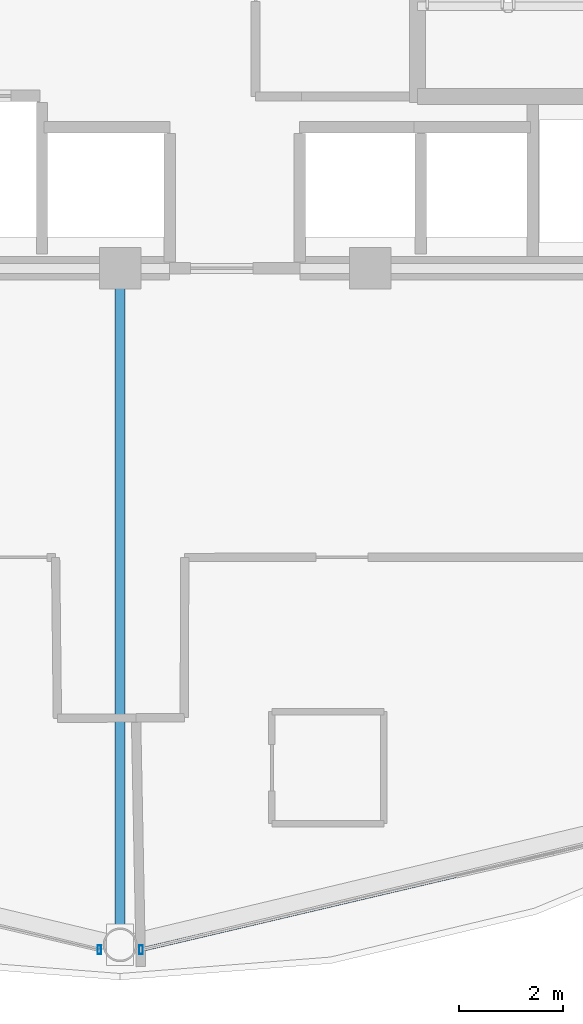
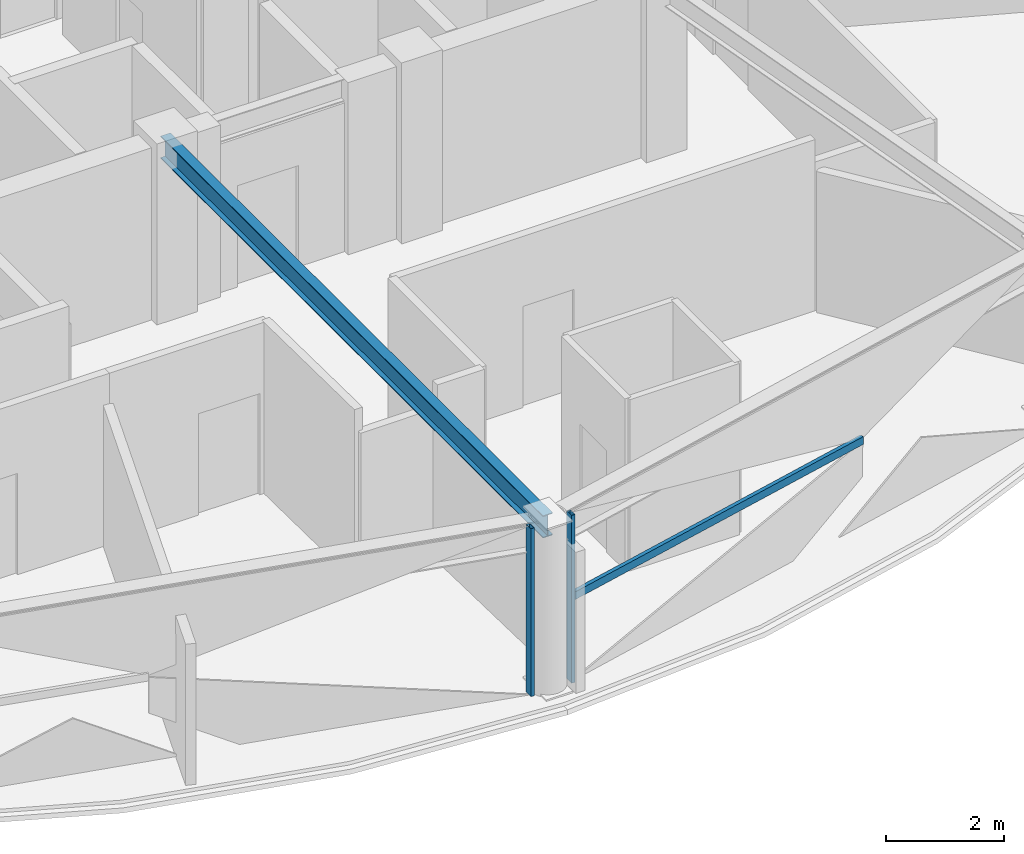
# One storey, part 5 of 30: 3 members, 1 beam, 2 elements without a shape of their own.
"""IFC4 building model written with IfcOpenShell, lengths in metres."""

from ifc_helpers import new_model, si_unit, direction, frame, origin, origin_2d, place, context, subcontext, project, spatial, hollow_rectangle, i_section, extrude, material, layer, layer_set, material_profile, profile_set, type_object, element, aggregate, save


model = new_model("IFC4")

# Units and contexts
model_context = context("Model", 3, precision=1e-05, world=origin(), true_north=direction((0.0, 1.0)))
body_context = subcontext(model_context, "Body", "Model", "MODEL_VIEW")
ifc_project = project(units=[si_unit("LENGTHUNIT", "METRE"), si_unit("AREAUNIT", "SQUARE_METRE"), si_unit("VOLUMEUNIT", "CUBIC_METRE"), si_unit("PLANEANGLEUNIT", "RADIAN"), si_unit("MASSUNIT", "GRAM", prefix="KILO")], contexts=[model_context])

# Site, building, storey
site_placement = place(None, origin())
site = spatial("IfcSite", under=ifc_project, at=site_placement, CompositionType="ELEMENT")
building_placement = place(site_placement, origin())
building = spatial("IfcBuilding", under=site, at=building_placement, Name="Vantalir Tower", CompositionType="ELEMENT")
storey_placement = place(building_placement, frame((0.0, 0.0, 193.64990234375)))
storey = spatial("IfcBuildingStorey", under=building, at=storey_placement, Name="L48", CompositionType="ELEMENT", Elevation=193.64990234375)

# Beam
ifc_material_1 = material(Name="Steel S355", Category="steel")
ifc_material_profile_1 = material_profile(ifc_material_1, i_section(OverallWidth=0.19189453125, OverallDepth=0.462890625, WebThickness=0.010498046875, FlangeThickness=0.017578125, at=origin_2d()), Name="Steel S355")
ifc_profile_set_1 = profile_set([ifc_material_profile_1], Name="Steel S355")
beam_type = type_object("IfcBeamType", Name="BM-RB-457x191", PredefinedType="BEAM", material=ifc_profile_set_1)
beam_placement = place(storey_placement, frame((31.5, 4.81201171875, 3.338134765625), z_axis=(0.0, 1.0, 0.0), x_axis=(-1.0, 0.0, 0.0)))
element("IfcBeam", 1, at=beam_placement, inside=storey, type_object=beam_type, Name="L48 Radial Floor Beam 10", PredefinedType="BEAM", context=body_context, shape_type="SweptSolid", body=[
    extrude(i_section(OverallWidth=0.19189453125, OverallDepth=0.462890625, WebThickness=0.010498046875, FlangeThickness=0.017578125, at=origin_2d()), origin(), (0.0, 0.0, 1.0), 12.988037109375),
])

# Curtain wall, member
ifc_material_2 = material(Name="Champagne-silver PVDF aluminium and double-silver Low-E glass", Category="aluminium")
ifc_layer = layer(ifc_material_2, 0.2099609375)
ifc_layer_set = layer_set([ifc_layer], Name="Champagne-silver PVDF aluminium and double-silver Low-E glass")
curtain_wall_type = type_object("IfcCurtainWallType", Name="CW-DIAMOND-Z3", PredefinedType="USERDEFINED", material=ifc_layer_set)
curtain_wall_1_placement = place(storey_placement, origin())
curtain_wall_1 = element("IfcCurtainWall", 2, at=curtain_wall_1_placement, inside=storey, type_object=curtain_wall_type, Name="L48 Quilted Pyramid-Diamond Curtain Wall S09", ObjectType="UNITISED CURTAIN WALL", PredefinedType="USERDEFINED")
ifc_material_3 = material(Name="Champagne-silver PVDF aluminium 6063-T6", Category="aluminium")
ifc_material_profile_2 = material_profile(ifc_material_3, hollow_rectangle(XDim=0.070068359375, YDim=0.1650390625, WallThickness=0.00390625, at=origin_2d()), Name="Champagne-silver PVDF aluminium 6063-T6")
ifc_profile_set_2 = profile_set([ifc_material_profile_2], Name="Champagne-silver PVDF aluminium 6063-T6")
member_type_1 = type_object("IfcMemberType", Name="CWM-165x70", PredefinedType="MULLION", material=ifc_profile_set_2)
member_1_placement = place(storey_placement, frame((31.10107421875, 4.717041015625, 0.045166015625), z_axis=(0.0, 0.0, 1.0), x_axis=(1.0, 0.0, 0.0)))
member_1 = element("IfcMember", 3, at=member_1_placement, type_object=member_type_1, Name="CW-L48-S09 Mullion 2", PredefinedType="MULLION", context=body_context, shape_type="SweptSolid", body=[
    extrude(hollow_rectangle(XDim=0.070068359375, YDim=0.1650390625, WallThickness=0.00390625, at=origin_2d()), origin(), (0.0, 0.0, 1.0), 3.47998046875),
])
aggregate(curtain_wall_1, [member_1])

# Curtain wall, members
curtain_wall_2_placement = place(storey_placement, origin())
curtain_wall_2 = element("IfcCurtainWall", 4, at=curtain_wall_2_placement, inside=storey, type_object=curtain_wall_type, Name="L48 Quilted Pyramid-Diamond Curtain Wall S10", ObjectType="UNITISED CURTAIN WALL", PredefinedType="USERDEFINED")
member_2_placement = place(storey_placement, frame((31.89892578125, 4.717041015625, 0.045166015625), z_axis=(0.0, 0.0, 1.0), x_axis=(1.0, 0.0, 0.0)))
member_2 = element("IfcMember", 5, at=member_2_placement, type_object=member_type_1, Name="CW-L48-S10 Mullion 1", PredefinedType="MULLION", context=body_context, shape_type="SweptSolid", body=[
    extrude(hollow_rectangle(XDim=0.070068359375, YDim=0.1650390625, WallThickness=0.00390625, at=origin_2d()), origin(), (0.0, 0.0, 1.0), 3.47998046875),
])
ifc_material_profile_3 = material_profile(ifc_material_3, hollow_rectangle(XDim=0.074951171875, YDim=0.159912109375, WallThickness=0.00390625, at=origin_2d()), Name="Champagne-silver PVDF aluminium 6063-T6")
ifc_profile_set_3 = profile_set([ifc_material_profile_3], Name="Champagne-silver PVDF aluminium 6063-T6")
member_type_2 = type_object("IfcMemberType", Name="CWT-160x75", PredefinedType="USERDEFINED", material=ifc_profile_set_3)
member_3_placement = place(storey_placement, frame((31.89892578125, 4.717041015625, 1.78515625), z_axis=(0.97346388674, 0.228840689594, 0.0), x_axis=(-0.228840689594, 0.97346388674, 0.0)))
member_3 = element("IfcMember", 6, at=member_3_placement, type_object=member_type_2, Name="CW-L48-S10 Pyramid Fold Ridge Transom", ObjectType="TRANSOM", PredefinedType="USERDEFINED", context=body_context, shape_type="SweptSolid", body=[
    extrude(hollow_rectangle(XDim=0.074951171875, YDim=0.159912109375, WallThickness=0.00390625, at=origin_2d()), origin(), (0.0, 0.0, 1.0), 6.781982421875),
])
aggregate(curtain_wall_2, [member_2, member_3])

save(model, "model.ifc")
